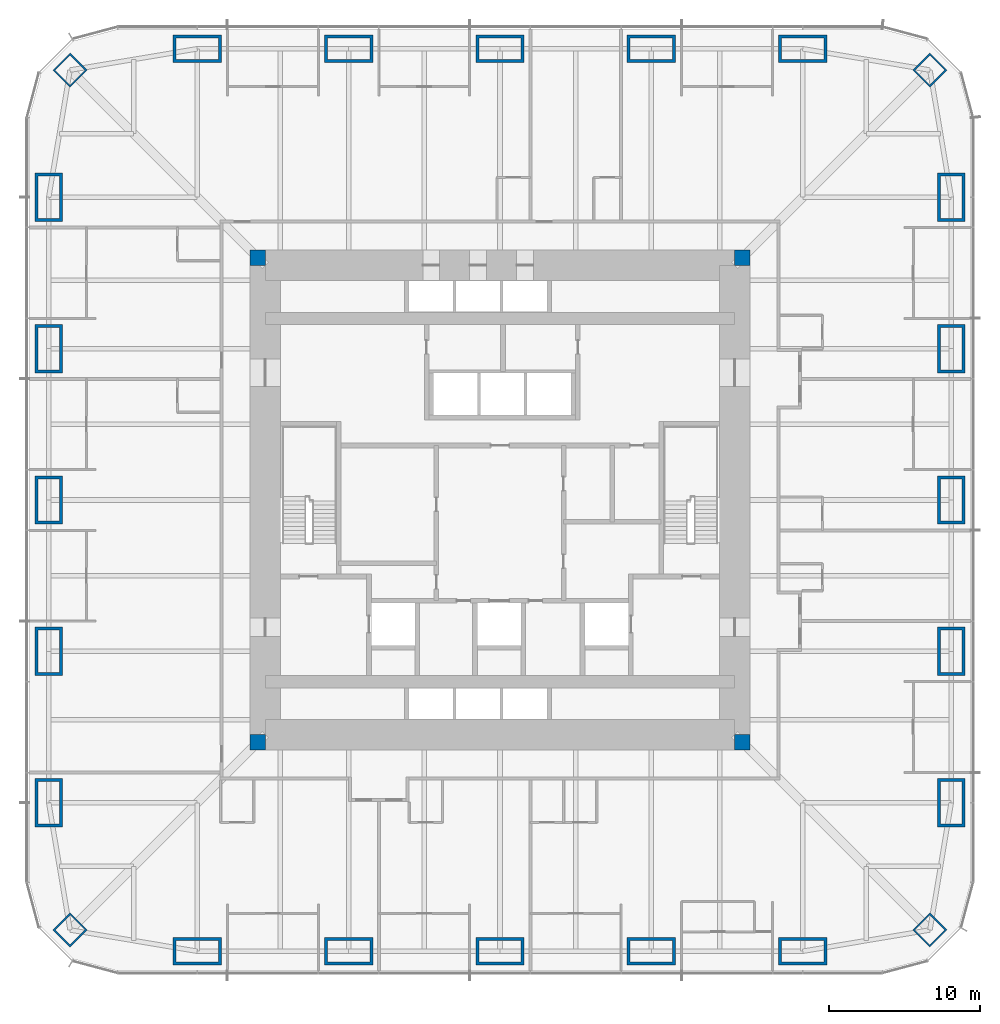
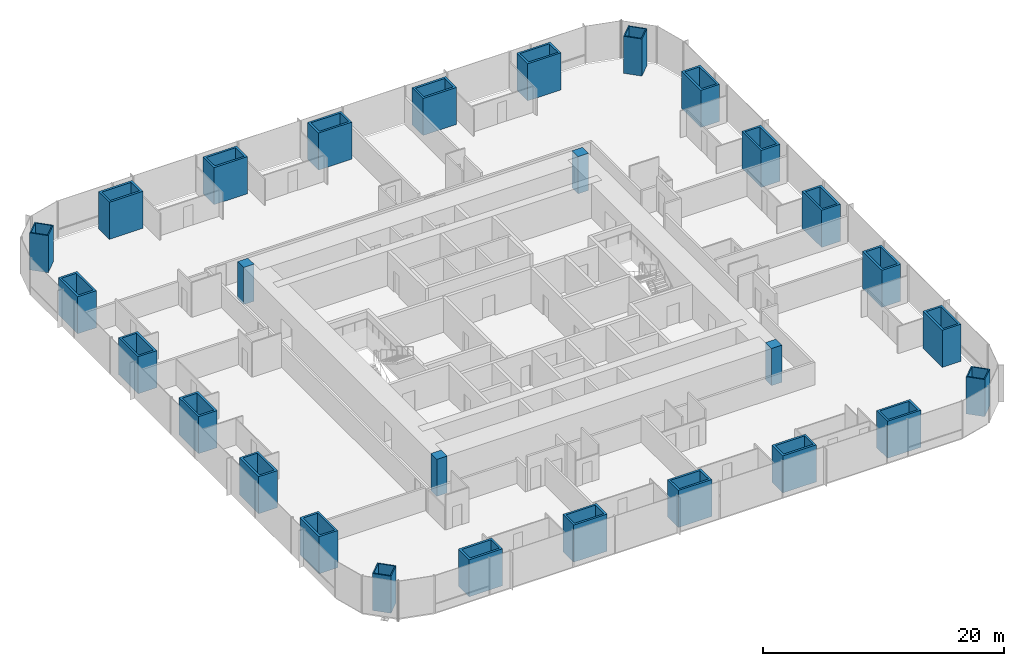
# One storey, part 1 of 17: 28 columns.
"""IFC4 building model written with IfcOpenShell, lengths in metres."""

from ifc_helpers import new_model, si_unit, direction, frame, origin, origin_2d, place, context, subcontext, project, spatial, rectangle, hollow_rectangle, extrude, material, material_profile, profile_set, type_object, element, save


model = new_model("IFC4")

# Units and contexts
model_context = context("Model", 3, precision=1e-05, world=origin(), true_north=direction((0.0, 1.0)))
body_context = subcontext(model_context, "Body", "Model", "MODEL_VIEW")
ifc_project = project(units=[si_unit("LENGTHUNIT", "METRE"), si_unit("AREAUNIT", "SQUARE_METRE"), si_unit("VOLUMEUNIT", "CUBIC_METRE"), si_unit("PLANEANGLEUNIT", "RADIAN"), si_unit("MASSUNIT", "GRAM", prefix="KILO")], contexts=[model_context])

# Site, building, storey
site_placement = place(None, origin())
site = spatial("IfcSite", under=ifc_project, at=site_placement, CompositionType="ELEMENT")
building_placement = place(site_placement, origin())
building = spatial("IfcBuilding", under=site, at=building_placement, Name="Khuree Lantern Residences", CompositionType="ELEMENT")
storey_placement = place(building_placement, frame((0.0, 0.0, 77.25)))
storey = spatial("IfcBuildingStorey", under=building, at=storey_placement, Name="L19", CompositionType="ELEMENT", Elevation=77.25)

# Columns
ifc_material_1 = material(Name="Steel S355 CFT welded box", Category="steel")
ifc_material_profile_1 = material_profile(ifc_material_1, hollow_rectangle(XDim=1.60009765625, YDim=1.60009765625, WallThickness=0.10009765625, at=origin_2d()), Name="WELDED BOX 1600X1600X100")
ifc_profile_set_1 = profile_set([ifc_material_profile_1], Name="Steel S355 CFT welded box")
column_type_1 = type_object("IfcColumnType", Name="CC1600 PERIMETER CORNER MEGA COLUMN WELDED BOX 1600X1600X100", PredefinedType="COLUMN", material=ifc_profile_set_1)
for number, where, z_axis, x_axis, name in (
    (1, (28.39404296875, 28.39404296875, 0.0), (0.0, 0.0, 1.0), (0.707106781187, -0.707106781187, 0.0), "Perimeter column NE"),
    (2, (28.39404296875, -28.39404296875, 0.0), (0.0, 0.0, 1.0), (0.707106781187, 0.707106781187, 0.0), "Perimeter column SE"),
    (3, (-28.39404296875, -28.39404296875, 0.0), (0.0, 0.0, 1.0), (0.707106781187, -0.707106781187, 0.0), "Perimeter column SW"),
    (4, (-28.39404296875, 28.39404296875, 0.0), (0.0, 0.0, 1.0), (0.707106781187, 0.707106781187, 0.0), "Perimeter column NW"),
):
    element("IfcColumn", number, at=place(storey_placement, frame(where, z_axis=z_axis, x_axis=x_axis)), inside=storey, type_object=column_type_1, Name=name, PredefinedType="COLUMN", context=body_context, shape_type="SweptSolid", body=[
        extrude(hollow_rectangle(XDim=1.60009765625, YDim=1.60009765625, WallThickness=0.10009765625, at=origin_2d()), origin(), (0.0, 0.0, 1.0), 3.75),
    ])
ifc_material_2 = material(Name="Concrete C70/85", Category="concrete")
ifc_material_profile_2 = material_profile(ifc_material_2, rectangle(XDim=1.0, YDim=1.0, at=origin_2d()), Name="RC 1000X1000")
ifc_profile_set_2 = profile_set([ifc_material_profile_2], Name="Concrete C70/85")
column_type_2 = type_object("IfcColumnType", Name="CP1000-C70 CORE CORNER PIER C70 RC 1000X1000", PredefinedType="COLUMN", material=ifc_profile_set_2)
for number, where, z_axis, x_axis, name in (
    (5, (16.0, 16.0, -0.25), (0.0, 0.0, 1.0), (1.0, 0.0, 0.0), "Core corner pier NE"),
    (6, (-16.0, 16.0, -0.25), (0.0, 0.0, 1.0), (1.0, 0.0, 0.0), "Core corner pier NW"),
    (7, (-16.0, -16.0, -0.25), (0.0, 0.0, 1.0), (1.0, 0.0, 0.0), "Core corner pier SW"),
    (8, (16.0, -16.0, -0.25), (0.0, 0.0, 1.0), (1.0, 0.0, 0.0), "Core corner pier SE"),
):
    element("IfcColumn", number, at=place(storey_placement, frame(where, z_axis=z_axis, x_axis=x_axis)), inside=storey, type_object=column_type_2, Name=name, PredefinedType="COLUMN", context=body_context, shape_type="SweptSolid", body=[
        extrude(rectangle(XDim=1.0, YDim=1.0, at=origin_2d()), origin(), (0.0, 0.0, 1.0), 3.75),
    ])
ifc_material_profile_3 = material_profile(ifc_material_1, hollow_rectangle(XDim=3.199951171875, YDim=1.800048828125, WallThickness=0.199951171875, at=origin_2d()), Name="WELDED BOX 3200X1800X200")
ifc_profile_set_3 = profile_set([ifc_material_profile_3], Name="Steel S355 CFT welded box")
column_type_3 = type_object("IfcColumnType", Name="SC1 PERIMETER MEGA COLUMN WELDED BOX 3200X1800X200", PredefinedType="COLUMN", material=ifc_profile_set_3)
for number, where, z_axis, x_axis, name in (
    (9, (-20.0, 29.800048828125, 0.0), (0.0, 0.0, 1.0), (1.0, 0.0, 0.0), "Perimeter column N1"),
    (10, (-10.0, 29.800048828125, 0.0), (0.0, 0.0, 1.0), (1.0, 0.0, 0.0), "Perimeter column N2"),
    (11, (0.0, 29.800048828125, 0.0), (0.0, 0.0, 1.0), (1.0, 0.0, 0.0), "Perimeter column N3"),
    (12, (10.0, 29.800048828125, 0.0), (0.0, 0.0, 1.0), (1.0, 0.0, 0.0), "Perimeter column N4"),
    (13, (20.0, 29.800048828125, 0.0), (0.0, 0.0, 1.0), (1.0, 0.0, 0.0), "Perimeter column N5"),
    (14, (29.800048828125, 20.0, 0.0), (0.0, 0.0, 1.0), (0.0, 1.0, 0.0), "Perimeter column E1"),
    (15, (29.800048828125, 10.0, 0.0), (0.0, 0.0, 1.0), (0.0, 1.0, 0.0), "Perimeter column E2"),
    (16, (29.800048828125, 0.0, 0.0), (0.0, 0.0, 1.0), (0.0, 1.0, 0.0), "Perimeter column E3"),
    (17, (29.800048828125, -10.0, 0.0), (0.0, 0.0, 1.0), (0.0, 1.0, 0.0), "Perimeter column E4"),
    (18, (29.800048828125, -20.0, 0.0), (0.0, 0.0, 1.0), (0.0, 1.0, 0.0), "Perimeter column E5"),
    (19, (20.0, -29.800048828125, 0.0), (0.0, 0.0, 1.0), (1.0, 0.0, 0.0), "Perimeter column S1"),
    (20, (10.0, -29.800048828125, 0.0), (0.0, 0.0, 1.0), (1.0, 0.0, 0.0), "Perimeter column S2"),
    (21, (0.0, -29.800048828125, 0.0), (0.0, 0.0, 1.0), (1.0, 0.0, 0.0), "Perimeter column S3"),
    (22, (-10.0, -29.800048828125, 0.0), (0.0, 0.0, 1.0), (1.0, 0.0, 0.0), "Perimeter column S4"),
    (23, (-20.0, -29.800048828125, 0.0), (0.0, 0.0, 1.0), (1.0, 0.0, 0.0), "Perimeter column S5"),
    (24, (-29.800048828125, -20.0, 0.0), (0.0, 0.0, 1.0), (0.0, 1.0, 0.0), "Perimeter column W1"),
    (25, (-29.800048828125, -10.0, 0.0), (0.0, 0.0, 1.0), (0.0, 1.0, 0.0), "Perimeter column W2"),
    (26, (-29.800048828125, 0.0, 0.0), (0.0, 0.0, 1.0), (0.0, 1.0, 0.0), "Perimeter column W3"),
    (27, (-29.800048828125, 10.0, 0.0), (0.0, 0.0, 1.0), (0.0, 1.0, 0.0), "Perimeter column W4"),
    (28, (-29.800048828125, 20.0, 0.0), (0.0, 0.0, 1.0), (0.0, 1.0, 0.0), "Perimeter column W5"),
):
    element("IfcColumn", number, at=place(storey_placement, frame(where, z_axis=z_axis, x_axis=x_axis)), inside=storey, type_object=column_type_3, Name=name, PredefinedType="COLUMN", context=body_context, shape_type="SweptSolid", body=[
        extrude(hollow_rectangle(XDim=3.199951171875, YDim=1.800048828125, WallThickness=0.199951171875, at=origin_2d()), origin(), (0.0, 0.0, 1.0), 3.75),
    ])

save(model, "model.ifc")
